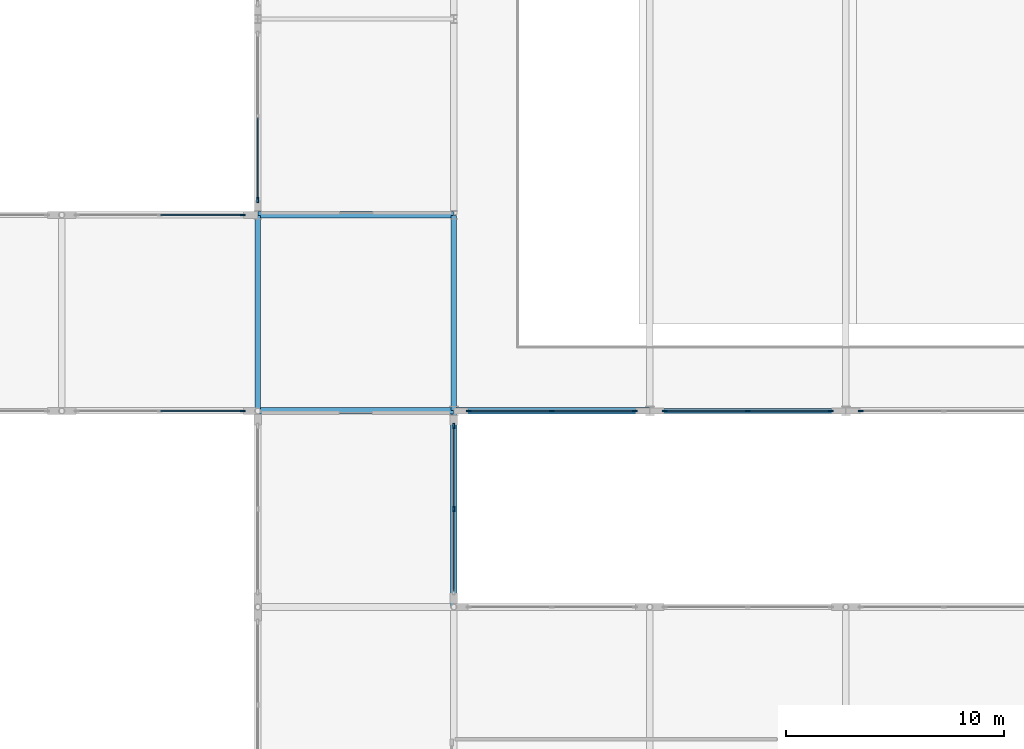
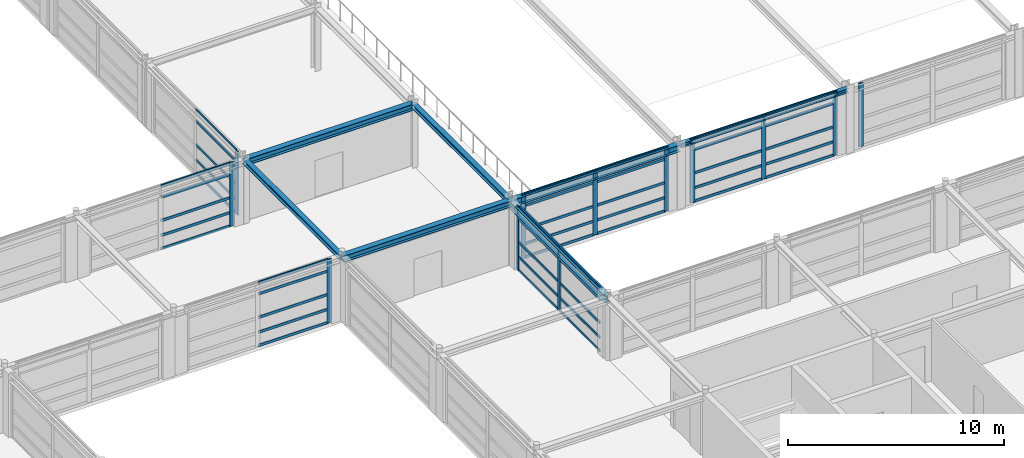
# One storey, part 38 of 79: 57 members, 7 beams, 7 elements without a shape of their own.
"""IFC4 building model written with IfcOpenShell, lengths in metres."""

from ifc_helpers import new_model, si_unit, direction, frame, origin, origin_2d, place, context, subcontext, project, spatial, rectangle, i_section, extrude, material, material_profile, profile_set, type_object, element, aggregate, save


model = new_model("IFC4")

# Units and contexts
model_context = context("Model", 3, precision=1e-05, world=origin(), true_north=direction((0.0, 1.0)))
body_context = subcontext(model_context, "Body", "Model", "MODEL_VIEW")
ifc_project = project(units=[si_unit("LENGTHUNIT", "METRE"), si_unit("AREAUNIT", "SQUARE_METRE"), si_unit("VOLUMEUNIT", "CUBIC_METRE"), si_unit("PLANEANGLEUNIT", "RADIAN"), si_unit("MASSUNIT", "GRAM", prefix="KILO")], contexts=[model_context])

# Site, building, storey
site_placement = place(None, origin())
site = spatial("IfcSite", under=ifc_project, at=site_placement, CompositionType="ELEMENT")
building_placement = place(site_placement, origin())
building = spatial("IfcBuilding", under=site, at=building_placement, Name="Palais des Congres Ocreval", CompositionType="ELEMENT")
storey_placement = place(building_placement, frame((0.0, 0.0, 4.320068359375)))
storey = spatial("IfcBuildingStorey", under=building, at=storey_placement, Name="L01", CompositionType="ELEMENT", Elevation=4.320068359375)

# Curtain wall, member
ifc_material_1 = material(Name="Anodized bronze aluminium and low-E glass", Category="glass")
curtain_wall_type = type_object("IfcCurtainWallType", Name="Unitised Curtain Wall 7900x3660", PredefinedType="USERDEFINED", material=ifc_material_1)
curtain_wall_1_placement = place(storey_placement, origin())
curtain_wall_1 = element("IfcCurtainWall", 1, at=curtain_wall_1_placement, inside=storey, type_object=curtain_wall_type, Name="Unitised Curtain Wall CW02 L01", ObjectType="UNITISED CURTAIN WALL", PredefinedType="USERDEFINED")
ifc_material_2 = material(Name="Anodized bronze aluminium", Category="aluminium")
ifc_material_profile_1 = material_profile(ifc_material_2, rectangle(XDim=0.074951171875, YDim=0.239990234375, at=origin_2d()), Name="ALU 75x240")
ifc_profile_set_1 = profile_set([ifc_material_profile_1], Name="Anodized bronze aluminium")
member_type_1 = type_object("IfcMemberType", Name="Curtain Wall Mullion ALU 75x240", PredefinedType="MULLION", material=ifc_profile_set_1)
member_1_placement = place(storey_placement, frame((98.3125, 81.0, 0.0), z_axis=(0.0, 0.0, 1.0), x_axis=(0.0, 1.0, 0.0)))
member_1 = element("IfcMember", 2, at=member_1_placement, type_object=member_type_1, Name="Curtain Wall Mullion ML01", PredefinedType="MULLION", context=body_context, shape_type="SweptSolid", body=[
    extrude(rectangle(XDim=0.074951171875, YDim=0.239990234375, at=origin_2d()), origin(), (0.0, 0.0, 1.0), 3.58984375),
])

curtain_wall_2_placement = place(storey_placement, origin())
curtain_wall_2 = element("IfcCurtainWall", 3, at=curtain_wall_2_placement, inside=storey, type_object=curtain_wall_type, Name="Unitised Curtain Wall CW02 L01", ObjectType="UNITISED CURTAIN WALL", PredefinedType="USERDEFINED")
member_2_placement = place(storey_placement, frame((99.0, 81.6875, 0.0), z_axis=(0.0, 0.0, 1.0), x_axis=(-1.0, 0.0, 0.0)))
member_2 = element("IfcMember", 4, at=member_2_placement, type_object=member_type_1, Name="Curtain Wall Mullion ML01", PredefinedType="MULLION", context=body_context, shape_type="SweptSolid", body=[
    extrude(rectangle(XDim=0.074951171875, YDim=0.239990234375, at=origin_2d()), origin(), (0.0, 0.0, 1.0), 3.599853515625),
])

curtain_wall_3_placement = place(storey_placement, origin())
curtain_wall_3 = element("IfcCurtainWall", 5, at=curtain_wall_3_placement, inside=storey, type_object=curtain_wall_type, Name="Unitised Curtain Wall CW02 L01", ObjectType="UNITISED CURTAIN WALL", PredefinedType="USERDEFINED")
member_3_placement = place(storey_placement, frame((126.6875, 72.0, 0.0), z_axis=(0.0, 0.0, 1.0), x_axis=(0.0, -1.0, 0.0)))
member_3 = element("IfcMember", 6, at=member_3_placement, type_object=member_type_1, Name="Curtain Wall Mullion ML01", PredefinedType="MULLION", context=body_context, shape_type="SweptSolid", body=[
    extrude(rectangle(XDim=0.074951171875, YDim=0.239990234375, at=origin_2d()), origin(), (0.0, 0.0, 1.0), 3.599853515625),
])
aggregate(curtain_wall_3, [member_3])

# Curtain wall, members
curtain_wall_4_placement = place(storey_placement, origin())
curtain_wall_4 = element("IfcCurtainWall", 7, at=curtain_wall_4_placement, inside=storey, type_object=curtain_wall_type, Name="Unitised Curtain Wall CW02 L01", ObjectType="UNITISED CURTAIN WALL", PredefinedType="USERDEFINED")
member_4_placement = place(storey_placement, frame((125.3125, 72.0, 0.0), z_axis=(0.0, 0.0, 1.0), x_axis=(0.0, -1.0, 0.0)))
member_4 = element("IfcMember", 8, at=member_4_placement, type_object=member_type_1, Name="Curtain Wall Mullion ML01", PredefinedType="MULLION", context=body_context, shape_type="SweptSolid", body=[
    extrude(rectangle(XDim=0.074951171875, YDim=0.239990234375, at=origin_2d()), origin(), (0.0, 0.0, 1.0), 3.599853515625),
])
member_5_placement = place(storey_placement, frame((121.5, 72.0, 0.0), z_axis=(0.0, 0.0, 1.0), x_axis=(0.0, -1.0, 0.0)))
member_5 = element("IfcMember", 9, at=member_5_placement, type_object=member_type_1, Name="Curtain Wall Mullion ML01", PredefinedType="MULLION", context=body_context, shape_type="SweptSolid", body=[
    extrude(rectangle(XDim=0.074951171875, YDim=0.239990234375, at=origin_2d()), origin(), (0.0, 0.0, 1.0), 3.599853515625),
])
member_6_placement = place(storey_placement, frame((117.6875, 72.0, 0.0), z_axis=(0.0, 0.0, 1.0), x_axis=(0.0, -1.0, 0.0)))
member_6 = element("IfcMember", 10, at=member_6_placement, type_object=member_type_1, Name="Curtain Wall Mullion ML01", PredefinedType="MULLION", context=body_context, shape_type="SweptSolid", body=[
    extrude(rectangle(XDim=0.074951171875, YDim=0.239990234375, at=origin_2d()), origin(), (0.0, 0.0, 1.0), 3.599853515625),
])

curtain_wall_5_placement = place(storey_placement, origin())
curtain_wall_5 = element("IfcCurtainWall", 11, at=curtain_wall_5_placement, inside=storey, type_object=curtain_wall_type, Name="Unitised Curtain Wall CW02 L01", ObjectType="UNITISED CURTAIN WALL", PredefinedType="USERDEFINED")
member_7_placement = place(storey_placement, frame((116.3125, 72.0, 0.0), z_axis=(0.0, 0.0, 1.0), x_axis=(0.0, -1.0, 0.0)))
member_7 = element("IfcMember", 12, at=member_7_placement, type_object=member_type_1, Name="Curtain Wall Mullion ML01", PredefinedType="MULLION", context=body_context, shape_type="SweptSolid", body=[
    extrude(rectangle(XDim=0.074951171875, YDim=0.239990234375, at=origin_2d()), origin(), (0.0, 0.0, 1.0), 3.599853515625),
])
member_8_placement = place(storey_placement, frame((112.5, 72.0, 0.0), z_axis=(0.0, 0.0, 1.0), x_axis=(0.0, -1.0, 0.0)))
member_8 = element("IfcMember", 13, at=member_8_placement, type_object=member_type_1, Name="Curtain Wall Mullion ML01", PredefinedType="MULLION", context=body_context, shape_type="SweptSolid", body=[
    extrude(rectangle(XDim=0.074951171875, YDim=0.239990234375, at=origin_2d()), origin(), (0.0, 0.0, 1.0), 3.599853515625),
])
member_9_placement = place(storey_placement, frame((108.6875, 72.0, 0.0), z_axis=(0.0, 0.0, 1.0), x_axis=(0.0, -1.0, 0.0)))
member_9 = element("IfcMember", 14, at=member_9_placement, type_object=member_type_1, Name="Curtain Wall Mullion ML01", PredefinedType="MULLION", context=body_context, shape_type="SweptSolid", body=[
    extrude(rectangle(XDim=0.074951171875, YDim=0.239990234375, at=origin_2d()), origin(), (0.0, 0.0, 1.0), 3.599853515625),
])

curtain_wall_6_placement = place(storey_placement, origin())
curtain_wall_6 = element("IfcCurtainWall", 15, at=curtain_wall_6_placement, inside=storey, type_object=curtain_wall_type, Name="Unitised Curtain Wall CW02 L01", ObjectType="UNITISED CURTAIN WALL", PredefinedType="USERDEFINED")
member_10_placement = place(storey_placement, frame((108.0, 71.3125, 0.0), z_axis=(0.0, 0.0, 1.0), x_axis=(1.0, 0.0, 0.0)))
member_10 = element("IfcMember", 16, at=member_10_placement, type_object=member_type_1, Name="Curtain Wall Mullion ML01", PredefinedType="MULLION", context=body_context, shape_type="SweptSolid", body=[
    extrude(rectangle(XDim=0.074951171875, YDim=0.239990234375, at=origin_2d()), origin(), (0.0, 0.0, 1.0), 3.58984375),
])
member_11_placement = place(storey_placement, frame((108.0, 67.5, 0.0), z_axis=(0.0, 0.0, 1.0), x_axis=(1.0, 0.0, 0.0)))
member_11 = element("IfcMember", 17, at=member_11_placement, type_object=member_type_1, Name="Curtain Wall Mullion ML01", PredefinedType="MULLION", context=body_context, shape_type="SweptSolid", body=[
    extrude(rectangle(XDim=0.074951171875, YDim=0.239990234375, at=origin_2d()), origin(), (0.0, 0.0, 1.0), 3.58984375),
])

# Curtain wall, member
curtain_wall_7_placement = place(storey_placement, origin())
curtain_wall_7 = element("IfcCurtainWall", 18, at=curtain_wall_7_placement, inside=storey, type_object=curtain_wall_type, Name="Unitised Curtain Wall CW02 L01", ObjectType="UNITISED CURTAIN WALL", PredefinedType="USERDEFINED")
member_12_placement = place(storey_placement, frame((98.3125, 72.0, 0.0), z_axis=(0.0, 0.0, 1.0), x_axis=(0.0, -1.0, 0.0)))
member_12 = element("IfcMember", 19, at=member_12_placement, type_object=member_type_1, Name="Curtain Wall Mullion ML01", PredefinedType="MULLION", context=body_context, shape_type="SweptSolid", body=[
    extrude(rectangle(XDim=0.074951171875, YDim=0.239990234375, at=origin_2d()), origin(), (0.0, 0.0, 1.0), 3.58984375),
])

# Member
ifc_material_profile_2 = material_profile(ifc_material_2, rectangle(XDim=0.06005859375, YDim=0.14990234375, at=origin_2d()), Name="ALU 60x150")
ifc_profile_set_2 = profile_set([ifc_material_profile_2], Name="Anodized bronze aluminium")
member_type_2 = type_object("IfcMemberType", Name="Curtain Wall Transom ALU 60x150", PredefinedType="USERDEFINED", material=ifc_profile_set_2)
member_13_placement = place(storey_placement, frame((94.53759765625, 81.0, 0.030029296875), z_axis=(1.0, 0.0, 0.0), x_axis=(0.0, 1.0, 0.0)))
member_13 = element("IfcMember", 20, at=member_13_placement, type_object=member_type_2, Name="Curtain Wall Transom TR01", ObjectType="TRANSOM", PredefinedType="USERDEFINED", context=body_context, shape_type="SweptSolid", body=[
    extrude(rectangle(XDim=0.06005859375, YDim=0.14990234375, at=origin_2d()), origin(), (0.0, 0.0, 1.0), 3.7373046875),
])

member_14_placement = place(storey_placement, frame((94.53759765625, 81.0, 0.780029296875), z_axis=(1.0, 0.0, 0.0), x_axis=(0.0, 1.0, 0.0)))
member_14 = element("IfcMember", 21, at=member_14_placement, type_object=member_type_2, Name="Curtain Wall Transom TR01", ObjectType="TRANSOM", PredefinedType="USERDEFINED", context=body_context, shape_type="SweptSolid", body=[
    extrude(rectangle(XDim=0.06005859375, YDim=0.14990234375, at=origin_2d()), origin(), (0.0, 0.0, 1.0), 3.7373046875),
])

member_15_placement = place(storey_placement, frame((94.53759765625, 81.0, 1.616943359375), z_axis=(1.0, 0.0, 0.0), x_axis=(0.0, 1.0, 0.0)))
member_15 = element("IfcMember", 22, at=member_15_placement, type_object=member_type_2, Name="Curtain Wall Transom TR01", ObjectType="TRANSOM", PredefinedType="USERDEFINED", context=body_context, shape_type="SweptSolid", body=[
    extrude(rectangle(XDim=0.06005859375, YDim=0.14990234375, at=origin_2d()), origin(), (0.0, 0.0, 1.0), 3.7373046875),
])

member_16_placement = place(storey_placement, frame((94.53759765625, 81.0, 2.93994140625), z_axis=(1.0, 0.0, 0.0), x_axis=(0.0, 1.0, 0.0)))
member_16 = element("IfcMember", 23, at=member_16_placement, type_object=member_type_2, Name="Curtain Wall Transom TR01", ObjectType="TRANSOM", PredefinedType="USERDEFINED", context=body_context, shape_type="SweptSolid", body=[
    extrude(rectangle(XDim=0.06005859375, YDim=0.14990234375, at=origin_2d()), origin(), (0.0, 0.0, 1.0), 3.7373046875),
])

member_17_placement = place(storey_placement, frame((94.53759765625, 81.0, 3.559814453125), z_axis=(1.0, 0.0, 0.0), x_axis=(0.0, 1.0, 0.0)))
member_17 = element("IfcMember", 24, at=member_17_placement, type_object=member_type_2, Name="Curtain Wall Transom TR01", ObjectType="TRANSOM", PredefinedType="USERDEFINED", context=body_context, shape_type="SweptSolid", body=[
    extrude(rectangle(XDim=0.06005859375, YDim=0.14990234375, at=origin_2d()), origin(), (0.0, 0.0, 1.0), 3.7373046875),
])

aggregate(curtain_wall_1, [member_1, member_13, member_14, member_15, member_16, member_17])

member_18_placement = place(storey_placement, frame((99.0, 81.72509765625, 0.030029296875), z_axis=(0.0, 1.0, 0.0), x_axis=(-1.0, 0.0, 0.0)))
member_18 = element("IfcMember", 25, at=member_18_placement, type_object=member_type_2, Name="Curtain Wall Transom TR01", ObjectType="TRANSOM", PredefinedType="USERDEFINED", context=body_context, shape_type="SweptSolid", body=[
    extrude(rectangle(XDim=0.06005859375, YDim=0.14990234375, at=origin_2d()), origin(), (0.0, 0.0, 1.0), 3.7373046875),
])

member_19_placement = place(storey_placement, frame((99.0, 81.72509765625, 0.780029296875), z_axis=(0.0, 1.0, 0.0), x_axis=(-1.0, 0.0, 0.0)))
member_19 = element("IfcMember", 26, at=member_19_placement, type_object=member_type_2, Name="Curtain Wall Transom TR01", ObjectType="TRANSOM", PredefinedType="USERDEFINED", context=body_context, shape_type="SweptSolid", body=[
    extrude(rectangle(XDim=0.06005859375, YDim=0.14990234375, at=origin_2d()), origin(), (0.0, 0.0, 1.0), 3.7373046875),
])

member_20_placement = place(storey_placement, frame((99.0, 81.72509765625, 1.622314453125), z_axis=(0.0, 1.0, 0.0), x_axis=(-1.0, 0.0, 0.0)))
member_20 = element("IfcMember", 27, at=member_20_placement, type_object=member_type_2, Name="Curtain Wall Transom TR01", ObjectType="TRANSOM", PredefinedType="USERDEFINED", context=body_context, shape_type="SweptSolid", body=[
    extrude(rectangle(XDim=0.06005859375, YDim=0.14990234375, at=origin_2d()), origin(), (0.0, 0.0, 1.0), 3.7373046875),
])

member_21_placement = place(storey_placement, frame((99.0, 81.72509765625, 2.949951171875), z_axis=(0.0, 1.0, 0.0), x_axis=(-1.0, 0.0, 0.0)))
member_21 = element("IfcMember", 28, at=member_21_placement, type_object=member_type_2, Name="Curtain Wall Transom TR01", ObjectType="TRANSOM", PredefinedType="USERDEFINED", context=body_context, shape_type="SweptSolid", body=[
    extrude(rectangle(XDim=0.06005859375, YDim=0.14990234375, at=origin_2d()), origin(), (0.0, 0.0, 1.0), 3.7373046875),
])

member_22_placement = place(storey_placement, frame((99.0, 81.72509765625, 3.56982421875), z_axis=(0.0, 1.0, 0.0), x_axis=(-1.0, 0.0, 0.0)))
member_22 = element("IfcMember", 29, at=member_22_placement, type_object=member_type_2, Name="Curtain Wall Transom TR01", ObjectType="TRANSOM", PredefinedType="USERDEFINED", context=body_context, shape_type="SweptSolid", body=[
    extrude(rectangle(XDim=0.06005859375, YDim=0.14990234375, at=origin_2d()), origin(), (0.0, 0.0, 1.0), 3.7373046875),
])

aggregate(curtain_wall_2, [member_2, member_18, member_19, member_20, member_21, member_22])

member_23_placement = place(storey_placement, frame((125.27490234375, 72.0, 0.030029296875), z_axis=(-1.0, 0.0, 0.0), x_axis=(0.0, -1.0, 0.0)))
member_23 = element("IfcMember", 30, at=member_23_placement, type_object=member_type_2, Name="Curtain Wall Transom TR01", ObjectType="TRANSOM", PredefinedType="USERDEFINED", context=body_context, shape_type="SweptSolid", body=[
    extrude(rectangle(XDim=0.06005859375, YDim=0.14990234375, at=origin_2d()), origin(), (0.0, 0.0, 1.0), 3.7373046875),
])

member_24_placement = place(storey_placement, frame((125.27490234375, 72.0, 0.780029296875), z_axis=(-1.0, 0.0, 0.0), x_axis=(0.0, -1.0, 0.0)))
member_24 = element("IfcMember", 31, at=member_24_placement, type_object=member_type_2, Name="Curtain Wall Transom TR01", ObjectType="TRANSOM", PredefinedType="USERDEFINED", context=body_context, shape_type="SweptSolid", body=[
    extrude(rectangle(XDim=0.06005859375, YDim=0.14990234375, at=origin_2d()), origin(), (0.0, 0.0, 1.0), 3.7373046875),
])

member_25_placement = place(storey_placement, frame((125.27490234375, 72.0, 1.622314453125), z_axis=(-1.0, 0.0, 0.0), x_axis=(0.0, -1.0, 0.0)))
member_25 = element("IfcMember", 32, at=member_25_placement, type_object=member_type_2, Name="Curtain Wall Transom TR01", ObjectType="TRANSOM", PredefinedType="USERDEFINED", context=body_context, shape_type="SweptSolid", body=[
    extrude(rectangle(XDim=0.06005859375, YDim=0.14990234375, at=origin_2d()), origin(), (0.0, 0.0, 1.0), 3.7373046875),
])

member_26_placement = place(storey_placement, frame((125.27490234375, 72.0, 2.949951171875), z_axis=(-1.0, 0.0, 0.0), x_axis=(0.0, -1.0, 0.0)))
member_26 = element("IfcMember", 33, at=member_26_placement, type_object=member_type_2, Name="Curtain Wall Transom TR01", ObjectType="TRANSOM", PredefinedType="USERDEFINED", context=body_context, shape_type="SweptSolid", body=[
    extrude(rectangle(XDim=0.06005859375, YDim=0.14990234375, at=origin_2d()), origin(), (0.0, 0.0, 1.0), 3.7373046875),
])

member_27_placement = place(storey_placement, frame((125.27490234375, 72.0, 3.56982421875), z_axis=(-1.0, 0.0, 0.0), x_axis=(0.0, -1.0, 0.0)))
member_27 = element("IfcMember", 34, at=member_27_placement, type_object=member_type_2, Name="Curtain Wall Transom TR01", ObjectType="TRANSOM", PredefinedType="USERDEFINED", context=body_context, shape_type="SweptSolid", body=[
    extrude(rectangle(XDim=0.06005859375, YDim=0.14990234375, at=origin_2d()), origin(), (0.0, 0.0, 1.0), 3.7373046875),
])

member_28_placement = place(storey_placement, frame((121.46240234375, 72.0, 0.030029296875), z_axis=(-1.0, 0.0, 0.0), x_axis=(0.0, -1.0, 0.0)))
member_28 = element("IfcMember", 35, at=member_28_placement, type_object=member_type_2, Name="Curtain Wall Transom TR01", ObjectType="TRANSOM", PredefinedType="USERDEFINED", context=body_context, shape_type="SweptSolid", body=[
    extrude(rectangle(XDim=0.06005859375, YDim=0.14990234375, at=origin_2d()), origin(), (0.0, 0.0, 1.0), 3.7373046875),
])

member_29_placement = place(storey_placement, frame((121.46240234375, 72.0, 0.780029296875), z_axis=(-1.0, 0.0, 0.0), x_axis=(0.0, -1.0, 0.0)))
member_29 = element("IfcMember", 36, at=member_29_placement, type_object=member_type_2, Name="Curtain Wall Transom TR01", ObjectType="TRANSOM", PredefinedType="USERDEFINED", context=body_context, shape_type="SweptSolid", body=[
    extrude(rectangle(XDim=0.06005859375, YDim=0.14990234375, at=origin_2d()), origin(), (0.0, 0.0, 1.0), 3.7373046875),
])

member_30_placement = place(storey_placement, frame((121.46240234375, 72.0, 1.622314453125), z_axis=(-1.0, 0.0, 0.0), x_axis=(0.0, -1.0, 0.0)))
member_30 = element("IfcMember", 37, at=member_30_placement, type_object=member_type_2, Name="Curtain Wall Transom TR01", ObjectType="TRANSOM", PredefinedType="USERDEFINED", context=body_context, shape_type="SweptSolid", body=[
    extrude(rectangle(XDim=0.06005859375, YDim=0.14990234375, at=origin_2d()), origin(), (0.0, 0.0, 1.0), 3.7373046875),
])

member_31_placement = place(storey_placement, frame((121.46240234375, 72.0, 2.949951171875), z_axis=(-1.0, 0.0, 0.0), x_axis=(0.0, -1.0, 0.0)))
member_31 = element("IfcMember", 38, at=member_31_placement, type_object=member_type_2, Name="Curtain Wall Transom TR01", ObjectType="TRANSOM", PredefinedType="USERDEFINED", context=body_context, shape_type="SweptSolid", body=[
    extrude(rectangle(XDim=0.06005859375, YDim=0.14990234375, at=origin_2d()), origin(), (0.0, 0.0, 1.0), 3.7373046875),
])

member_32_placement = place(storey_placement, frame((121.46240234375, 72.0, 3.56982421875), z_axis=(-1.0, 0.0, 0.0), x_axis=(0.0, -1.0, 0.0)))
member_32 = element("IfcMember", 39, at=member_32_placement, type_object=member_type_2, Name="Curtain Wall Transom TR01", ObjectType="TRANSOM", PredefinedType="USERDEFINED", context=body_context, shape_type="SweptSolid", body=[
    extrude(rectangle(XDim=0.06005859375, YDim=0.14990234375, at=origin_2d()), origin(), (0.0, 0.0, 1.0), 3.7373046875),
])

aggregate(curtain_wall_4, [member_4, member_5, member_6, member_23, member_24, member_25, member_26, member_27, member_28, member_29, member_30, member_31, member_32])

member_33_placement = place(storey_placement, frame((116.27490234375, 72.0, 0.030029296875), z_axis=(-1.0, 0.0, 0.0), x_axis=(0.0, -1.0, 0.0)))
member_33 = element("IfcMember", 40, at=member_33_placement, type_object=member_type_2, Name="Curtain Wall Transom TR01", ObjectType="TRANSOM", PredefinedType="USERDEFINED", context=body_context, shape_type="SweptSolid", body=[
    extrude(rectangle(XDim=0.06005859375, YDim=0.14990234375, at=origin_2d()), origin(), (0.0, 0.0, 1.0), 3.7373046875),
])

member_34_placement = place(storey_placement, frame((116.27490234375, 72.0, 0.780029296875), z_axis=(-1.0, 0.0, 0.0), x_axis=(0.0, -1.0, 0.0)))
member_34 = element("IfcMember", 41, at=member_34_placement, type_object=member_type_2, Name="Curtain Wall Transom TR01", ObjectType="TRANSOM", PredefinedType="USERDEFINED", context=body_context, shape_type="SweptSolid", body=[
    extrude(rectangle(XDim=0.06005859375, YDim=0.14990234375, at=origin_2d()), origin(), (0.0, 0.0, 1.0), 3.7373046875),
])

member_35_placement = place(storey_placement, frame((116.27490234375, 72.0, 1.622314453125), z_axis=(-1.0, 0.0, 0.0), x_axis=(0.0, -1.0, 0.0)))
member_35 = element("IfcMember", 42, at=member_35_placement, type_object=member_type_2, Name="Curtain Wall Transom TR01", ObjectType="TRANSOM", PredefinedType="USERDEFINED", context=body_context, shape_type="SweptSolid", body=[
    extrude(rectangle(XDim=0.06005859375, YDim=0.14990234375, at=origin_2d()), origin(), (0.0, 0.0, 1.0), 3.7373046875),
])

member_36_placement = place(storey_placement, frame((116.27490234375, 72.0, 2.949951171875), z_axis=(-1.0, 0.0, 0.0), x_axis=(0.0, -1.0, 0.0)))
member_36 = element("IfcMember", 43, at=member_36_placement, type_object=member_type_2, Name="Curtain Wall Transom TR01", ObjectType="TRANSOM", PredefinedType="USERDEFINED", context=body_context, shape_type="SweptSolid", body=[
    extrude(rectangle(XDim=0.06005859375, YDim=0.14990234375, at=origin_2d()), origin(), (0.0, 0.0, 1.0), 3.7373046875),
])

member_37_placement = place(storey_placement, frame((116.27490234375, 72.0, 3.56982421875), z_axis=(-1.0, 0.0, 0.0), x_axis=(0.0, -1.0, 0.0)))
member_37 = element("IfcMember", 44, at=member_37_placement, type_object=member_type_2, Name="Curtain Wall Transom TR01", ObjectType="TRANSOM", PredefinedType="USERDEFINED", context=body_context, shape_type="SweptSolid", body=[
    extrude(rectangle(XDim=0.06005859375, YDim=0.14990234375, at=origin_2d()), origin(), (0.0, 0.0, 1.0), 3.7373046875),
])

member_38_placement = place(storey_placement, frame((112.46240234375, 72.0, 0.030029296875), z_axis=(-1.0, 0.0, 0.0), x_axis=(0.0, -1.0, 0.0)))
member_38 = element("IfcMember", 45, at=member_38_placement, type_object=member_type_2, Name="Curtain Wall Transom TR01", ObjectType="TRANSOM", PredefinedType="USERDEFINED", context=body_context, shape_type="SweptSolid", body=[
    extrude(rectangle(XDim=0.06005859375, YDim=0.14990234375, at=origin_2d()), origin(), (0.0, 0.0, 1.0), 3.7373046875),
])

member_39_placement = place(storey_placement, frame((112.46240234375, 72.0, 0.780029296875), z_axis=(-1.0, 0.0, 0.0), x_axis=(0.0, -1.0, 0.0)))
member_39 = element("IfcMember", 46, at=member_39_placement, type_object=member_type_2, Name="Curtain Wall Transom TR01", ObjectType="TRANSOM", PredefinedType="USERDEFINED", context=body_context, shape_type="SweptSolid", body=[
    extrude(rectangle(XDim=0.06005859375, YDim=0.14990234375, at=origin_2d()), origin(), (0.0, 0.0, 1.0), 3.7373046875),
])

member_40_placement = place(storey_placement, frame((112.46240234375, 72.0, 1.622314453125), z_axis=(-1.0, 0.0, 0.0), x_axis=(0.0, -1.0, 0.0)))
member_40 = element("IfcMember", 47, at=member_40_placement, type_object=member_type_2, Name="Curtain Wall Transom TR01", ObjectType="TRANSOM", PredefinedType="USERDEFINED", context=body_context, shape_type="SweptSolid", body=[
    extrude(rectangle(XDim=0.06005859375, YDim=0.14990234375, at=origin_2d()), origin(), (0.0, 0.0, 1.0), 3.7373046875),
])

member_41_placement = place(storey_placement, frame((112.46240234375, 72.0, 2.949951171875), z_axis=(-1.0, 0.0, 0.0), x_axis=(0.0, -1.0, 0.0)))
member_41 = element("IfcMember", 48, at=member_41_placement, type_object=member_type_2, Name="Curtain Wall Transom TR01", ObjectType="TRANSOM", PredefinedType="USERDEFINED", context=body_context, shape_type="SweptSolid", body=[
    extrude(rectangle(XDim=0.06005859375, YDim=0.14990234375, at=origin_2d()), origin(), (0.0, 0.0, 1.0), 3.7373046875),
])

member_42_placement = place(storey_placement, frame((112.46240234375, 72.0, 3.56982421875), z_axis=(-1.0, 0.0, 0.0), x_axis=(0.0, -1.0, 0.0)))
member_42 = element("IfcMember", 49, at=member_42_placement, type_object=member_type_2, Name="Curtain Wall Transom TR01", ObjectType="TRANSOM", PredefinedType="USERDEFINED", context=body_context, shape_type="SweptSolid", body=[
    extrude(rectangle(XDim=0.06005859375, YDim=0.14990234375, at=origin_2d()), origin(), (0.0, 0.0, 1.0), 3.7373046875),
])

aggregate(curtain_wall_5, [member_7, member_8, member_9, member_33, member_34, member_35, member_36, member_37, member_38, member_39, member_40, member_41, member_42])

member_43_placement = place(storey_placement, frame((108.0, 71.27490234375, 0.030029296875), z_axis=(0.0, -1.0, 0.0), x_axis=(1.0, 0.0, 0.0)))
member_43 = element("IfcMember", 50, at=member_43_placement, type_object=member_type_2, Name="Curtain Wall Transom TR01", ObjectType="TRANSOM", PredefinedType="USERDEFINED", context=body_context, shape_type="SweptSolid", body=[
    extrude(rectangle(XDim=0.06005859375, YDim=0.14990234375, at=origin_2d()), origin(), (0.0, 0.0, 1.0), 3.7373046875),
])

member_44_placement = place(storey_placement, frame((108.0, 71.27490234375, 0.780029296875), z_axis=(0.0, -1.0, 0.0), x_axis=(1.0, 0.0, 0.0)))
member_44 = element("IfcMember", 51, at=member_44_placement, type_object=member_type_2, Name="Curtain Wall Transom TR01", ObjectType="TRANSOM", PredefinedType="USERDEFINED", context=body_context, shape_type="SweptSolid", body=[
    extrude(rectangle(XDim=0.06005859375, YDim=0.14990234375, at=origin_2d()), origin(), (0.0, 0.0, 1.0), 3.7373046875),
])

member_45_placement = place(storey_placement, frame((108.0, 71.27490234375, 1.616943359375), z_axis=(0.0, -1.0, 0.0), x_axis=(1.0, 0.0, 0.0)))
member_45 = element("IfcMember", 52, at=member_45_placement, type_object=member_type_2, Name="Curtain Wall Transom TR01", ObjectType="TRANSOM", PredefinedType="USERDEFINED", context=body_context, shape_type="SweptSolid", body=[
    extrude(rectangle(XDim=0.06005859375, YDim=0.14990234375, at=origin_2d()), origin(), (0.0, 0.0, 1.0), 3.7373046875),
])

member_46_placement = place(storey_placement, frame((108.0, 71.27490234375, 2.93994140625), z_axis=(0.0, -1.0, 0.0), x_axis=(1.0, 0.0, 0.0)))
member_46 = element("IfcMember", 53, at=member_46_placement, type_object=member_type_2, Name="Curtain Wall Transom TR01", ObjectType="TRANSOM", PredefinedType="USERDEFINED", context=body_context, shape_type="SweptSolid", body=[
    extrude(rectangle(XDim=0.06005859375, YDim=0.14990234375, at=origin_2d()), origin(), (0.0, 0.0, 1.0), 3.7373046875),
])

member_47_placement = place(storey_placement, frame((108.0, 71.27490234375, 3.559814453125), z_axis=(0.0, -1.0, 0.0), x_axis=(1.0, 0.0, 0.0)))
member_47 = element("IfcMember", 54, at=member_47_placement, type_object=member_type_2, Name="Curtain Wall Transom TR01", ObjectType="TRANSOM", PredefinedType="USERDEFINED", context=body_context, shape_type="SweptSolid", body=[
    extrude(rectangle(XDim=0.06005859375, YDim=0.14990234375, at=origin_2d()), origin(), (0.0, 0.0, 1.0), 3.7373046875),
])

member_48_placement = place(storey_placement, frame((108.0, 67.46240234375, 0.030029296875), z_axis=(0.0, -1.0, 0.0), x_axis=(1.0, 0.0, 0.0)))
member_48 = element("IfcMember", 55, at=member_48_placement, type_object=member_type_2, Name="Curtain Wall Transom TR01", ObjectType="TRANSOM", PredefinedType="USERDEFINED", context=body_context, shape_type="SweptSolid", body=[
    extrude(rectangle(XDim=0.06005859375, YDim=0.14990234375, at=origin_2d()), origin(), (0.0, 0.0, 1.0), 3.7373046875),
])

member_49_placement = place(storey_placement, frame((108.0, 67.46240234375, 0.780029296875), z_axis=(0.0, -1.0, 0.0), x_axis=(1.0, 0.0, 0.0)))
member_49 = element("IfcMember", 56, at=member_49_placement, type_object=member_type_2, Name="Curtain Wall Transom TR01", ObjectType="TRANSOM", PredefinedType="USERDEFINED", context=body_context, shape_type="SweptSolid", body=[
    extrude(rectangle(XDim=0.06005859375, YDim=0.14990234375, at=origin_2d()), origin(), (0.0, 0.0, 1.0), 3.7373046875),
])

member_50_placement = place(storey_placement, frame((108.0, 67.46240234375, 1.616943359375), z_axis=(0.0, -1.0, 0.0), x_axis=(1.0, 0.0, 0.0)))
member_50 = element("IfcMember", 57, at=member_50_placement, type_object=member_type_2, Name="Curtain Wall Transom TR01", ObjectType="TRANSOM", PredefinedType="USERDEFINED", context=body_context, shape_type="SweptSolid", body=[
    extrude(rectangle(XDim=0.06005859375, YDim=0.14990234375, at=origin_2d()), origin(), (0.0, 0.0, 1.0), 3.7373046875),
])

member_51_placement = place(storey_placement, frame((108.0, 67.46240234375, 2.93994140625), z_axis=(0.0, -1.0, 0.0), x_axis=(1.0, 0.0, 0.0)))
member_51 = element("IfcMember", 58, at=member_51_placement, type_object=member_type_2, Name="Curtain Wall Transom TR01", ObjectType="TRANSOM", PredefinedType="USERDEFINED", context=body_context, shape_type="SweptSolid", body=[
    extrude(rectangle(XDim=0.06005859375, YDim=0.14990234375, at=origin_2d()), origin(), (0.0, 0.0, 1.0), 3.7373046875),
])

member_52_placement = place(storey_placement, frame((108.0, 67.46240234375, 3.559814453125), z_axis=(0.0, -1.0, 0.0), x_axis=(1.0, 0.0, 0.0)))
member_52 = element("IfcMember", 59, at=member_52_placement, type_object=member_type_2, Name="Curtain Wall Transom TR01", ObjectType="TRANSOM", PredefinedType="USERDEFINED", context=body_context, shape_type="SweptSolid", body=[
    extrude(rectangle(XDim=0.06005859375, YDim=0.14990234375, at=origin_2d()), origin(), (0.0, 0.0, 1.0), 3.7373046875),
])

aggregate(curtain_wall_6, [member_10, member_11, member_43, member_44, member_45, member_46, member_47, member_48, member_49, member_50, member_51, member_52])

member_53_placement = place(storey_placement, frame((98.27490234375, 72.0, 0.030029296875), z_axis=(-1.0, 0.0, 0.0), x_axis=(0.0, -1.0, 0.0)))
member_53 = element("IfcMember", 60, at=member_53_placement, type_object=member_type_2, Name="Curtain Wall Transom TR01", ObjectType="TRANSOM", PredefinedType="USERDEFINED", context=body_context, shape_type="SweptSolid", body=[
    extrude(rectangle(XDim=0.06005859375, YDim=0.14990234375, at=origin_2d()), origin(), (0.0, 0.0, 1.0), 3.7373046875),
])

member_54_placement = place(storey_placement, frame((98.27490234375, 72.0, 0.780029296875), z_axis=(-1.0, 0.0, 0.0), x_axis=(0.0, -1.0, 0.0)))
member_54 = element("IfcMember", 61, at=member_54_placement, type_object=member_type_2, Name="Curtain Wall Transom TR01", ObjectType="TRANSOM", PredefinedType="USERDEFINED", context=body_context, shape_type="SweptSolid", body=[
    extrude(rectangle(XDim=0.06005859375, YDim=0.14990234375, at=origin_2d()), origin(), (0.0, 0.0, 1.0), 3.7373046875),
])

member_55_placement = place(storey_placement, frame((98.27490234375, 72.0, 1.616943359375), z_axis=(-1.0, 0.0, 0.0), x_axis=(0.0, -1.0, 0.0)))
member_55 = element("IfcMember", 62, at=member_55_placement, type_object=member_type_2, Name="Curtain Wall Transom TR01", ObjectType="TRANSOM", PredefinedType="USERDEFINED", context=body_context, shape_type="SweptSolid", body=[
    extrude(rectangle(XDim=0.06005859375, YDim=0.14990234375, at=origin_2d()), origin(), (0.0, 0.0, 1.0), 3.7373046875),
])

member_56_placement = place(storey_placement, frame((98.27490234375, 72.0, 2.93994140625), z_axis=(-1.0, 0.0, 0.0), x_axis=(0.0, -1.0, 0.0)))
member_56 = element("IfcMember", 63, at=member_56_placement, type_object=member_type_2, Name="Curtain Wall Transom TR01", ObjectType="TRANSOM", PredefinedType="USERDEFINED", context=body_context, shape_type="SweptSolid", body=[
    extrude(rectangle(XDim=0.06005859375, YDim=0.14990234375, at=origin_2d()), origin(), (0.0, 0.0, 1.0), 3.7373046875),
])

member_57_placement = place(storey_placement, frame((98.27490234375, 72.0, 3.559814453125), z_axis=(-1.0, 0.0, 0.0), x_axis=(0.0, -1.0, 0.0)))
member_57 = element("IfcMember", 64, at=member_57_placement, type_object=member_type_2, Name="Curtain Wall Transom TR01", ObjectType="TRANSOM", PredefinedType="USERDEFINED", context=body_context, shape_type="SweptSolid", body=[
    extrude(rectangle(XDim=0.06005859375, YDim=0.14990234375, at=origin_2d()), origin(), (0.0, 0.0, 1.0), 3.7373046875),
])

aggregate(curtain_wall_7, [member_12, member_53, member_54, member_55, member_56, member_57])

# Beams
ifc_material_3 = material(Name="Steel S355", Category="steel")
ifc_material_profile_3 = material_profile(ifc_material_3, i_section(OverallWidth=0.260009765625, OverallDepth=0.260009765625, WebThickness=0.010009765625, FlangeThickness=0.017578125, at=origin_2d()), Name="HEB 260")
ifc_profile_set_3 = profile_set([ifc_material_profile_3], Name="Steel S355")
beam_type_1 = type_object("IfcBeamType", Name="Opening Lintel HEB 260 Steel S355", PredefinedType="LINTEL", material=ifc_profile_set_3)
for number, where, z_axis, x_axis, name in (
    (65, (99.0, 72.02001953125, 3.449951171875), (0.0, 1.0, 0.0), (-1.0, 0.0, 0.0), "Girder LN01 L01"),
    (66, (108.0, 72.02001953125, 3.449951171875), (0.0, 1.0, 0.0), (-1.0, 0.0, 0.0), "Girder LN01 L01"),
):
    element("IfcBeam", number, at=place(storey_placement, frame(where, z_axis=z_axis, x_axis=x_axis)), inside=storey, type_object=beam_type_1, Name=name, PredefinedType="LINTEL", context=body_context, shape_type="SweptSolid", body=[
        extrude(i_section(OverallWidth=0.260009765625, OverallDepth=0.260009765625, WebThickness=0.010009765625, FlangeThickness=0.017578125, at=origin_2d()), origin(), (0.0, 0.0, 1.0), 8.9599609375),
    ])
ifc_material_profile_4 = material_profile(ifc_material_3, i_section(OverallWidth=0.239990234375, OverallDepth=0.22998046875, WebThickness=0.007568359375, FlangeThickness=0.011962890625, at=origin_2d()), Name="HEA 240")
ifc_profile_set_4 = profile_set([ifc_material_profile_4], Name="Steel S355")
beam_type_2 = type_object("IfcBeamType", Name="Perimeter Spandrel HEA 240 Steel S355", PredefinedType="SPANDREL", material=ifc_profile_set_4)
beam_placement = place(storey_placement, frame((117.02001953125, 72.0, 3.46484375), z_axis=(1.0, 0.0, 0.0), x_axis=(0.0, 1.0, 0.0)))
element("IfcBeam", 67, at=beam_placement, inside=storey, type_object=beam_type_2, Name="Beam SP01 L01", PredefinedType="SPANDREL", context=body_context, shape_type="SweptSolid", body=[
    extrude(i_section(OverallWidth=0.239990234375, OverallDepth=0.22998046875, WebThickness=0.007568359375, FlangeThickness=0.011962890625, at=origin_2d()), origin(), (0.0, 0.0, 1.0), 8.9599609375),
])
ifc_material_profile_5 = material_profile(ifc_material_3, i_section(OverallWidth=0.300048828125, OverallDepth=0.360107421875, WebThickness=0.012451171875, FlangeThickness=0.0224609375, at=origin_2d()), Name="HEB 360")
ifc_profile_set_5 = profile_set([ifc_material_profile_5], Name="Steel S355")
beam_type_3 = type_object("IfcBeamType", Name="Perimeter Spandrel HEB 360 Steel S355", PredefinedType="SPANDREL", material=ifc_profile_set_5)
for number, where, z_axis, x_axis, name in (
    (68, (99.02001953125, 72.0, 3.39990234375), (1.0, 0.0, 0.0), (0.0, 1.0, 0.0), "Beam SP03 L01"),
    (69, (99.02001953125, 81.0, 3.39990234375), (1.0, 0.0, 0.0), (0.0, 1.0, 0.0), "Beam SP03 L01"),
):
    element("IfcBeam", number, at=place(storey_placement, frame(where, z_axis=z_axis, x_axis=x_axis)), inside=storey, type_object=beam_type_3, Name=name, PredefinedType="SPANDREL", context=body_context, shape_type="SweptSolid", body=[
        extrude(i_section(OverallWidth=0.300048828125, OverallDepth=0.360107421875, WebThickness=0.012451171875, FlangeThickness=0.0224609375, at=origin_2d()), origin(), (0.0, 0.0, 1.0), 8.9599609375),
    ])
ifc_material_profile_6 = material_profile(ifc_material_3, i_section(OverallWidth=0.300048828125, OverallDepth=0.39990234375, WebThickness=0.013427734375, FlangeThickness=0.02392578125, at=origin_2d()), Name="HEB 400")
ifc_profile_set_6 = profile_set([ifc_material_profile_6], Name="Steel S355")
beam_type_4 = type_object("IfcBeamType", Name="Perimeter Spandrel HEB 400 Steel S355", PredefinedType="SPANDREL", material=ifc_profile_set_6)
for number, where, z_axis, x_axis, name in (
    (70, (108.0, 63.02001953125, 3.3798828125), (0.0, 1.0, 0.0), (-1.0, 0.0, 0.0), "Girder SP04 L01"),
    (71, (108.02001953125, 72.0, 3.3798828125), (1.0, 0.0, 0.0), (0.0, 1.0, 0.0), "Beam SP04 L01"),
):
    element("IfcBeam", number, at=place(storey_placement, frame(where, z_axis=z_axis, x_axis=x_axis)), inside=storey, type_object=beam_type_4, Name=name, PredefinedType="SPANDREL", context=body_context, shape_type="SweptSolid", body=[
        extrude(i_section(OverallWidth=0.300048828125, OverallDepth=0.39990234375, WebThickness=0.013427734375, FlangeThickness=0.02392578125, at=origin_2d()), origin(), (0.0, 0.0, 1.0), 8.9599609375),
    ])

save(model, "model.ifc")
